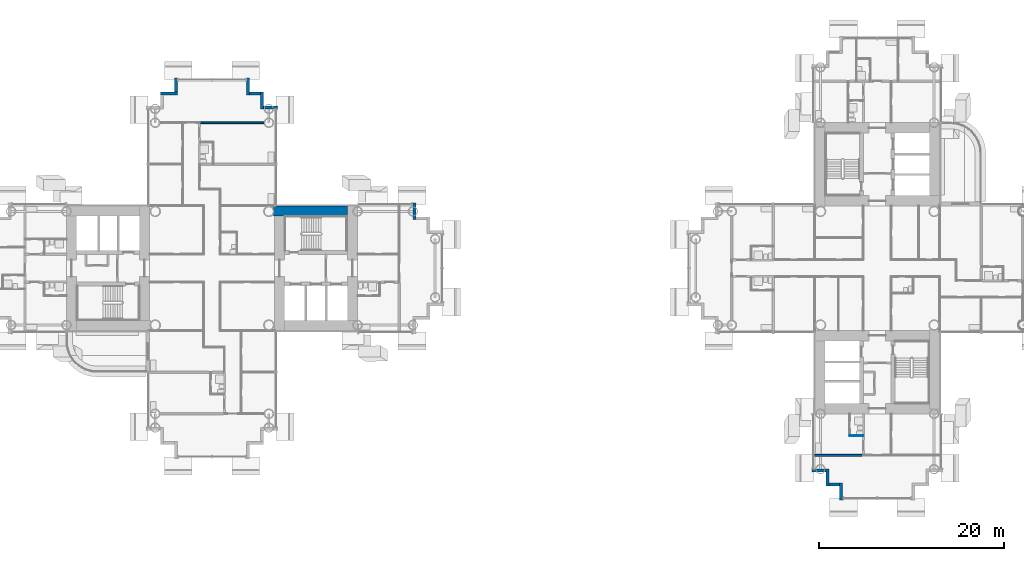
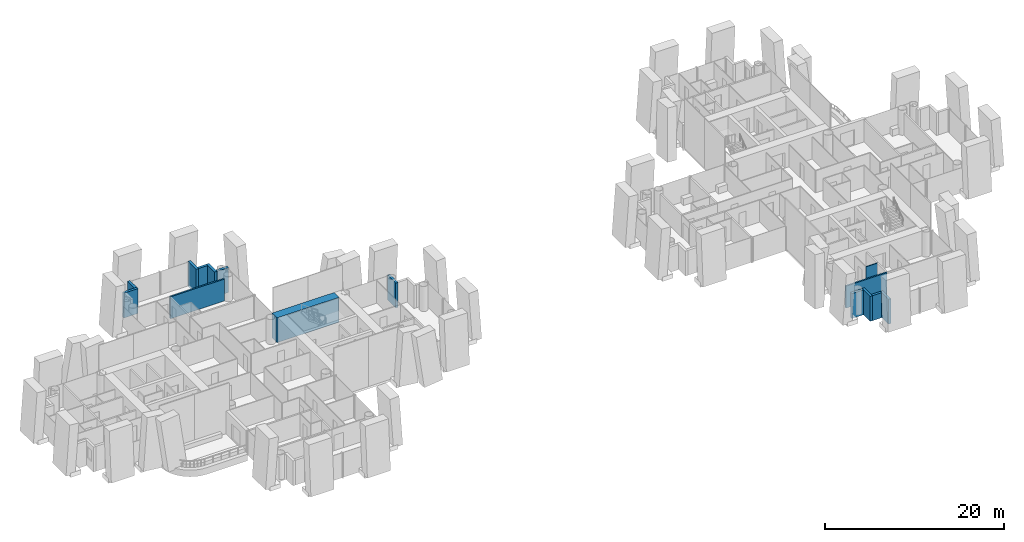
# One storey, part 13 of 24: 15 walls.
"""IFC4 building model written with IfcOpenShell, lengths in metres."""

import ifcopenshell
import ifcopenshell.guid

model = None  # the IFC model being written
_history = None  # IfcOwnerHistory: only IFC2X3 demands one
_inside = {}  # id of a spatial element -> (the spatial element, [elements in it])
_under = {}  # id of a project, library or spatial element -> (it, [spatial elements below it])
_declared = {}  # id of a project -> (the project, [libraries it declares])
_typed = {}  # id of a type object -> (the type object, [elements of that type])
_made_of = {}  # id of a material, layer set ... -> (it, [elements and type objects made of it])


def new_model(schema):
    """Start an empty IFC model of exactly this schema.

    Asked for "IFC4X3", IfcOpenShell would pick the latest addendum, in which some entities
    have other attributes; the version numbers below select the first issue.
    IFC2X3 requires an IfcOwnerHistory on every rooted entity: one is made here for all.
    """
    global model, _history
    if schema == "IFC4X3":
        model = ifcopenshell.file(schema_version=(4, 3, 0, 0))
    else:
        model = ifcopenshell.file(schema=schema)
    _inside.clear()
    _under.clear()
    _declared.clear()
    _typed.clear()
    _made_of.clear()
    _history = None
    if model.schema == "IFC2X3":
        org = make("IfcOrganization", Name="unknown")
        user = make(
            "IfcPersonAndOrganization",
            ThePerson=make("IfcPerson", FamilyName="unknown"),
            TheOrganization=org,
        )
        app = make(
            "IfcApplication",
            ApplicationDeveloper=org,
            Version="unknown",
            ApplicationFullName="unknown",
            ApplicationIdentifier="unknown",
        )
        _history = make(
            "IfcOwnerHistory",
            OwningUser=user,
            OwningApplication=app,
            ChangeAction="ADDED",
            CreationDate=0,
        )
    return model


def make(cls, **values):
    """One entity of the class cls with the attributes given. An attribute that is None is left unset."""
    return model.create_entity(
        cls, **{name: value for name, value in values.items() if value is not None}
    )


def rooted(cls, **values):
    """An entity with a GlobalId (a new one), such as an element, a storey or a relation."""
    return make(cls, GlobalId=ifcopenshell.guid.new(), OwnerHistory=_history, **values)


def si_unit(unit_type, name, prefix=None):
    """IfcSIUnit, for example si_unit("LENGTHUNIT", "METRE", prefix="MILLI")."""
    return make("IfcSIUnit", UnitType=unit_type, Prefix=prefix, Name=name)


def assignment(units):
    """IfcUnitAssignment: the units of a project."""
    return None if units is None else make("IfcUnitAssignment", Units=units)


def point(xyz):
    """IfcCartesianPoint."""
    return None if xyz is None else make("IfcCartesianPoint", Coordinates=xyz)


def direction(xyz):
    """IfcDirection."""
    return None if xyz is None else make("IfcDirection", DirectionRatios=xyz)


def frame(location, z_axis=None, x_axis=None):
    """IfcAxis2Placement3D, a coordinate frame: its origin and axes. An axis left out is left unset."""
    return make(
        "IfcAxis2Placement3D",
        Location=point(location),
        Axis=direction(z_axis),
        RefDirection=direction(x_axis),
    )


def frame_2d(location, x_axis=None):
    """IfcAxis2Placement2D, a coordinate frame in the plane: its origin and x axis."""
    return make(
        "IfcAxis2Placement2D", Location=point(location), RefDirection=direction(x_axis)
    )


def origin():
    """The frame at (0, 0, 0) with its axes left unset."""
    return frame((0.0, 0.0, 0.0))


def place(relative_to, where):
    """IfcLocalPlacement: puts the frame where relative to a parent placement (None: the world)."""
    return make(
        "IfcLocalPlacement", PlacementRelTo=relative_to, RelativePlacement=where
    )


def context(
    kind, dimensions, precision=None, world=None, true_north=None, identifier=None
):
    """IfcGeometricRepresentationContext, for example the 3D "Model" context."""
    return make(
        "IfcGeometricRepresentationContext",
        ContextIdentifier=identifier,
        ContextType=kind,
        CoordinateSpaceDimension=dimensions,
        Precision=precision,
        WorldCoordinateSystem=world,
        TrueNorth=true_north,
    )


def subcontext(parent, identifier, kind, view, scale=None):
    """IfcGeometricRepresentationSubContext, for example "Body" below "Model"."""
    return make(
        "IfcGeometricRepresentationSubContext",
        ContextIdentifier=identifier,
        ContextType=kind,
        ParentContext=parent,
        TargetScale=scale,
        TargetView=view,
    )


def project(units=None, contexts=None):
    """IfcProject with its units and contexts."""
    return rooted(
        "IfcProject",
        Name="project",
        RepresentationContexts=contexts,
        UnitsInContext=assignment(units),
    )


def spatial(cls, under=None, at=None, **own):
    """A site, building, storey or space (cls), placed at a placement, below another one or the project."""
    s = rooted(cls, ObjectPlacement=at, **own)
    if under is not None:
        _under.setdefault(under.id(), (under, []))[1].append(s)
    return s


def profile(cls, at=None, kind="AREA", **sizes):
    """A parametric profile (cls). Its sizes go by their IFC names, for example OverallWidth=200.0."""
    return make(cls, ProfileType=kind, Position=at, **sizes)


def rectangle(**sizes):
    """IfcRectangleProfileDef."""
    return profile("IfcRectangleProfileDef", **sizes)


def extrude(swept, where, along, depth):
    """IfcExtrudedAreaSolid: the profile swept, set in the frame where, extruded along a direction by depth."""
    return make(
        "IfcExtrudedAreaSolid",
        SweptArea=swept,
        Position=where,
        ExtrudedDirection=direction(along),
        Depth=depth,
    )


def shape(context_of_items, identifier, shape_type, items):
    """IfcShapeRepresentation: the items that make up one representation, for example the "Body"."""
    return make(
        "IfcShapeRepresentation",
        ContextOfItems=context_of_items,
        RepresentationIdentifier=identifier,
        RepresentationType=shape_type,
        Items=items,
    )


def material(Name=None, Category=None):
    """IfcMaterial."""
    return make("IfcMaterial", Name=Name, Category=Category)


def layer(
    of_material, thickness, ventilated=None, Name=None, Category=None, Priority=None
):
    """IfcMaterialLayer: one layer of a wall or slab, of a material (None: an air gap)."""
    return make(
        "IfcMaterialLayer",
        Material=of_material,
        LayerThickness=thickness,
        IsVentilated=ventilated,
        Name=Name,
        Category=Category,
        Priority=Priority,
    )


def layer_set(layers, Name=None):
    """IfcMaterialLayerSet."""
    return make("IfcMaterialLayerSet", MaterialLayers=layers, LayerSetName=Name)


def made_of(thing, what):
    """Note that an element or type object is made of a material, layer set ...; save() writes the relation."""
    if what is not None:
        _made_of.setdefault(what.id(), (what, []))[1].append(thing)
    return thing


def type_object(cls, material=None, **own):
    """A type object (cls), such as IfcWallType, which elements share."""
    return made_of(rooted(cls, **own), material)


def element(
    cls,
    number,
    at=None,
    inside=None,
    cuts=None,
    type_object=None,
    material=None,
    context=None,
    identifier="Body",
    shape_type=None,
    held_by="IfcProductDefinitionShape",
    body=None,
    shapes=None,
    **own,
):
    """One element of the class cls, such as IfcWall. Its Tag is "e" and its number.

    at: its placement. inside: the storey or other place that contains it. cuts: it is an
    opening in that element (IfcRelVoidsElement). A single representation is given by context,
    identifier, shape_type and body (its items); several are given by shapes. held_by: the class
    of the entity that holds the representations. save() writes the other relations.
    """
    e = rooted(cls, Tag="e%d" % number, ObjectPlacement=at, **own)
    if body is not None:
        shapes = [shape(context, identifier, shape_type, body)]
    if shapes is not None:
        e.Representation = make(held_by, Representations=shapes)
    if inside is not None:
        _inside.setdefault(inside.id(), (inside, []))[1].append(e)
    if cuts is not None:
        rooted(
            "IfcRelVoidsElement", RelatingBuildingElement=cuts, RelatedOpeningElement=e
        )
    if type_object is not None:
        _typed.setdefault(type_object.id(), (type_object, []))[1].append(e)
    return made_of(e, material)


def aggregate(whole, parts):
    """IfcRelAggregates: a whole, such as a stair, and the parts it consists of."""
    return rooted("IfcRelAggregates", RelatingObject=whole, RelatedObjects=parts)


def save(model, path):
    """Write the relations noted so far, then the file.

    IfcRelAggregates (storeys below a building ...), IfcRelContainedInSpatialStructure (elements
    in a storey), IfcRelDefinesByType, IfcRelAssociatesMaterial and IfcRelDeclares: one each for
    every whole, place, type object, material and project.
    """
    for whole, parts in _under.values():
        aggregate(whole, parts)
    for where, things in _inside.values():
        rooted(
            "IfcRelContainedInSpatialStructure",
            RelatedElements=things,
            RelatingStructure=where,
        )
    for kind, things in _typed.values():
        rooted("IfcRelDefinesByType", RelatedObjects=things, RelatingType=kind)
    for what, things in _made_of.values():
        rooted("IfcRelAssociatesMaterial", RelatedObjects=things, RelatingMaterial=what)
    for by, libraries in _declared.values():
        rooted("IfcRelDeclares", RelatingContext=by, RelatedDefinitions=libraries)
    model.write(path)


model = new_model("IFC4")

# Units and contexts
model_context = context("Model", 3, precision=1e-05, world=origin(), true_north=direction((0.0, 1.0)))
body_context = subcontext(model_context, "Body", "Model", "MODEL_VIEW")
ifc_project = project(units=[si_unit("LENGTHUNIT", "METRE"), si_unit("AREAUNIT", "SQUARE_METRE"), si_unit("VOLUMEUNIT", "CUBIC_METRE"), si_unit("PLANEANGLEUNIT", "RADIAN"), si_unit("MASSUNIT", "GRAM", prefix="KILO")], contexts=[model_context])

# Site, building, storey
site_placement = place(None, origin())
site = spatial("IfcSite", under=ifc_project, at=site_placement, CompositionType="ELEMENT")
building_placement = place(site_placement, origin())
building = spatial("IfcBuilding", under=site, at=building_placement, Name="Ipe Terrace Towers", CompositionType="ELEMENT")
storey_placement = place(building_placement, frame((0.0, 0.0, 38.10009765625)))
storey = spatial("IfcBuildingStorey", under=building, at=storey_placement, Name="L09", CompositionType="ELEMENT", Elevation=38.10009765625)

# Walls
ifc_material_1 = material(Name="Concrete C40/50 with buff precast cladding", Category="concrete")
ifc_layer_1 = layer(ifc_material_1, 0.320068359375)
ifc_layer_set_1 = layer_set([ifc_layer_1], Name="BUFF CLADDING WALL 320")
wall_type_1 = type_object("IfcWallType", Name="BUFF CLADDING WALL 320", PredefinedType="STANDARD", material=ifc_layer_set_1)
wall_1_placement = place(storey_placement, frame((-14.090087890625, 5.25, -0.300048828125), z_axis=(0.0, 0.0, 1.0), x_axis=(0.0, 1.0, 0.0)))
element("IfcWall", 1, at=wall_1_placement, inside=storey, type_object=wall_type_1, Name="T1-W-L09-29a wall", PredefinedType="STANDARD", context=body_context, shape_type="SweptSolid", body=[
    extrude(rectangle(XDim=1.820068359375, YDim=0.320068359375, at=frame_2d((0.91015625, 0.0))), origin(), (0.0, 0.0, 1.0), 3.39990234375),
])
wall_2_placement = place(storey_placement, frame((-28.929931640625, 17.409912109375, -0.300048828125), z_axis=(0.0, 0.0, 1.0), x_axis=(-1.0, 0.0, 0.0)))
element("IfcWall", 2, at=wall_2_placement, inside=storey, type_object=wall_type_1, Name="T1-W-L09-34a wall", PredefinedType="STANDARD", context=body_context, shape_type="SweptSolid", body=[
    extrude(rectangle(XDim=1.5, YDim=0.320068359375, at=frame_2d((0.75, 0.0))), origin(), (0.0, 0.0, 1.0), 3.39990234375),
])
wall_3_placement = place(storey_placement, frame((-30.590087890625, 17.25, -0.300048828125), z_axis=(0.0, 0.0, 1.0), x_axis=(0.0, 1.0, 0.0)))
element("IfcWall", 3, at=wall_3_placement, inside=storey, type_object=wall_type_1, Name="T1-W-L09-35a wall", PredefinedType="STANDARD", context=body_context, shape_type="SweptSolid", body=[
    extrude(rectangle(XDim=1.820068359375, YDim=0.320068359375, at=frame_2d((0.91015625, 0.0))), origin(), (0.0, 0.0, 1.0), 3.39990234375),
])
wall_4_placement = place(storey_placement, frame((-30.75, 18.909912109375, -0.300048828125), z_axis=(0.0, 0.0, 1.0), x_axis=(-1.0, 0.0, 0.0)))
element("IfcWall", 4, at=wall_4_placement, inside=storey, type_object=wall_type_1, Name="T1-W-L09-36a wall", PredefinedType="STANDARD", context=body_context, shape_type="SweptSolid", body=[
    extrude(rectangle(XDim=1.179931640625, YDim=0.320068359375, at=frame_2d((0.58984375, 0.0))), origin(), (0.0, 0.0, 1.0), 3.39990234375),
])
wall_5_placement = place(storey_placement, frame((-32.090087890625, 18.75, -0.300048828125), z_axis=(0.0, 0.0, 1.0), x_axis=(0.0, 1.0, 0.0)))
element("IfcWall", 5, at=wall_5_placement, inside=storey, type_object=wall_type_1, Name="T1-W-L09-37a wall", PredefinedType="STANDARD", context=body_context, shape_type="SweptSolid", body=[
    extrude(rectangle(XDim=1.820068359375, YDim=0.320068359375, at=frame_2d((0.91015625, 0.0))), origin(), (0.0, 0.0, 1.0), 3.39990234375),
])
wall_6_placement = place(storey_placement, frame((-39.909912109375, 20.570068359375, -0.300048828125), z_axis=(0.0, 0.0, 1.0), x_axis=(0.0, -1.0, 0.0)))
element("IfcWall", 6, at=wall_6_placement, inside=storey, type_object=wall_type_1, Name="T1-W-L09-39a wall", PredefinedType="STANDARD", context=body_context, shape_type="SweptSolid", body=[
    extrude(rectangle(XDim=1.5, YDim=0.320068359375, at=frame_2d((0.75, 0.0))), origin(), (0.0, 0.0, 1.0), 3.39990234375),
])
wall_7_placement = place(storey_placement, frame((-39.75, 18.909912109375, -0.300048828125), z_axis=(0.0, 0.0, 1.0), x_axis=(-1.0, 0.0, 0.0)))
element("IfcWall", 7, at=wall_7_placement, inside=storey, type_object=wall_type_1, Name="T1-W-L09-40a wall", PredefinedType="STANDARD", context=body_context, shape_type="SweptSolid", body=[
    extrude(rectangle(XDim=1.820068359375, YDim=0.320068359375, at=frame_2d((0.91015625, 0.0))), origin(), (0.0, 0.0, 1.0), 3.39990234375),
])
wall_8_placement = place(storey_placement, frame((28.929931640625, -21.909912109375, -0.300048828125), z_axis=(0.0, 0.0, 1.0), x_axis=(1.0, 0.0, 0.0)))
element("IfcWall", 8, at=wall_8_placement, inside=storey, type_object=wall_type_1, Name="T2-W-L09-47a wall", PredefinedType="STANDARD", context=body_context, shape_type="SweptSolid", body=[
    extrude(rectangle(XDim=1.5, YDim=0.320068359375, at=frame_2d((0.75, 0.0))), origin(), (0.0, 0.0, 1.0), 3.39990234375),
])
wall_9_placement = place(storey_placement, frame((30.590087890625, -21.75, -0.300048828125), z_axis=(0.0, 0.0, 1.0), x_axis=(0.0, -1.0, 0.0)))
element("IfcWall", 9, at=wall_9_placement, inside=storey, type_object=wall_type_1, Name="T2-W-L09-48a wall", PredefinedType="STANDARD", context=body_context, shape_type="SweptSolid", body=[
    extrude(rectangle(XDim=1.820068359375, YDim=0.320068359375, at=frame_2d((0.91015625, 0.0))), origin(), (0.0, 0.0, 1.0), 3.39990234375),
])
wall_10_placement = place(storey_placement, frame((30.75, -23.409912109375, -0.300048828125), z_axis=(0.0, 0.0, 1.0), x_axis=(1.0, 0.0, 0.0)))
element("IfcWall", 10, at=wall_10_placement, inside=storey, type_object=wall_type_1, Name="T2-W-L09-49a wall", PredefinedType="STANDARD", context=body_context, shape_type="SweptSolid", body=[
    extrude(rectangle(XDim=1.179931640625, YDim=0.320068359375, at=frame_2d((0.58984375, 0.0))), origin(), (0.0, 0.0, 1.0), 3.39990234375),
])
wall_11_placement = place(storey_placement, frame((32.090087890625, -23.25, -0.300048828125), z_axis=(0.0, 0.0, 1.0), x_axis=(0.0, -1.0, 0.0)))
element("IfcWall", 11, at=wall_11_placement, inside=storey, type_object=wall_type_1, Name="T2-W-L09-50a wall", PredefinedType="STANDARD", context=body_context, shape_type="SweptSolid", body=[
    extrude(rectangle(XDim=1.820068359375, YDim=0.320068359375, at=frame_2d((0.91015625, 0.0))), origin(), (0.0, 0.0, 1.0), 3.39990234375),
])
ifc_material_2 = material(Name="Gypsum board partition", Category="plasterboard")
ifc_layer_2 = layer(ifc_material_2, 0.10009765625)
ifc_layer_set_2 = layer_set([ifc_layer_2], Name="Gypsum board partition 100 mm")
wall_type_2 = type_object("IfcWallType", Name="Gypsum board partition 100 mm", PredefinedType="PARTITIONING", material=ifc_layer_set_2)
wall_12_placement = place(storey_placement, frame((34.5, -18.14990234375, 0.0), z_axis=(0.0, 0.0, 1.0), x_axis=(-1.0, 0.0, 0.0)))
element("IfcWall", 12, at=wall_12_placement, inside=storey, type_object=wall_type_2, Name="Gypsum board partition T2 L09 W03", PredefinedType="PARTITIONING", context=body_context, shape_type="SweptSolid", body=[
    extrude(rectangle(XDim=1.5, YDim=0.10009765625, at=frame_2d((0.75, 0.0))), origin(), (0.0, 0.0, 1.0), 3.0),
])
ifc_material_3 = material(Name="Gypsum board party wall", Category="plasterboard")
ifc_layer_3 = layer(ifc_material_3, 0.199951171875)
ifc_layer_set_3 = layer_set([ifc_layer_3], Name="Gypsum board party wall 200 mm")
wall_type_3 = type_object("IfcWallType", Name="Gypsum board party wall 200 mm", PredefinedType="SOLIDWALL", material=ifc_layer_set_3)
wall_13_placement = place(storey_placement, frame((-37.35009765625, 15.75, 0.0), z_axis=(0.0, 0.0, 1.0), x_axis=(1.0, 0.0, 0.0)))
element("IfcWall", 13, at=wall_13_placement, inside=storey, type_object=wall_type_3, Name="Gypsum board party wall T1 L09 W51", PredefinedType="SOLIDWALL", context=body_context, shape_type="SweptSolid", body=[
    extrude(rectangle(XDim=7.0, YDim=0.199951171875, at=frame_2d((3.5, 0.0))), origin(), (0.0, 0.0, 1.0), 3.0),
])
wall_14_placement = place(storey_placement, frame((34.5, -20.25, 0.0), z_axis=(0.0, 0.0, 1.0), x_axis=(-1.0, 0.0, 0.0)))
element("IfcWall", 14, at=wall_14_placement, inside=storey, type_object=wall_type_3, Name="Gypsum board party wall T2 L09 W02", PredefinedType="SOLIDWALL", context=body_context, shape_type="SweptSolid", body=[
    extrude(rectangle(XDim=5.35009765625, YDim=0.199951171875, at=frame_2d((2.675048828125, 0.0))), origin(), (0.0, 0.0, 1.0), 3.0),
])
ifc_material_4 = material(Name="Concrete C60/75", Category="concrete")
ifc_layer_4 = layer(ifc_material_4, 1.10009765625)
ifc_layer_set_4 = layer_set([ifc_layer_4], Name="RW1100 CORE WALL 1100 C60-75")
wall_type_4 = type_object("IfcWallType", Name="RW1100 CORE WALL 1100 C60-75", PredefinedType="SHEAR", material=ifc_layer_set_4)
wall_15_placement = place(storey_placement, frame((-21.35009765625, 6.199951171875, 0.0), z_axis=(0.0, 0.0, 1.0), x_axis=(-1.0, 0.0, 0.0)))
element("IfcWall", 15, at=wall_15_placement, inside=storey, type_object=wall_type_4, Name="Core wall T1-C1-Z1-W03", PredefinedType="SHEAR", context=body_context, shape_type="SweptSolid", body=[
    extrude(rectangle(XDim=7.997802734375, YDim=1.10009765625, at=frame_2d((3.9990234375, 0.0))), origin(), (0.0, 0.0, 1.0), 3.39990234375),
])

save(model, "model.ifc")
